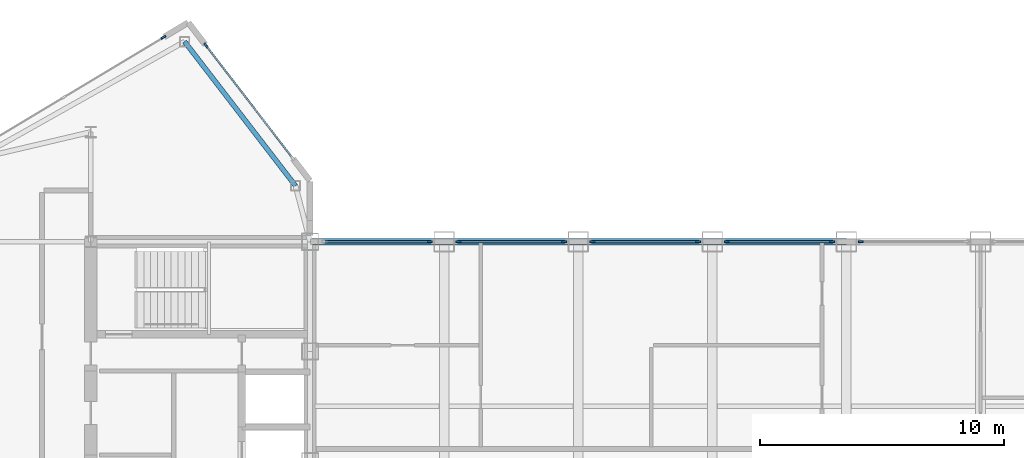
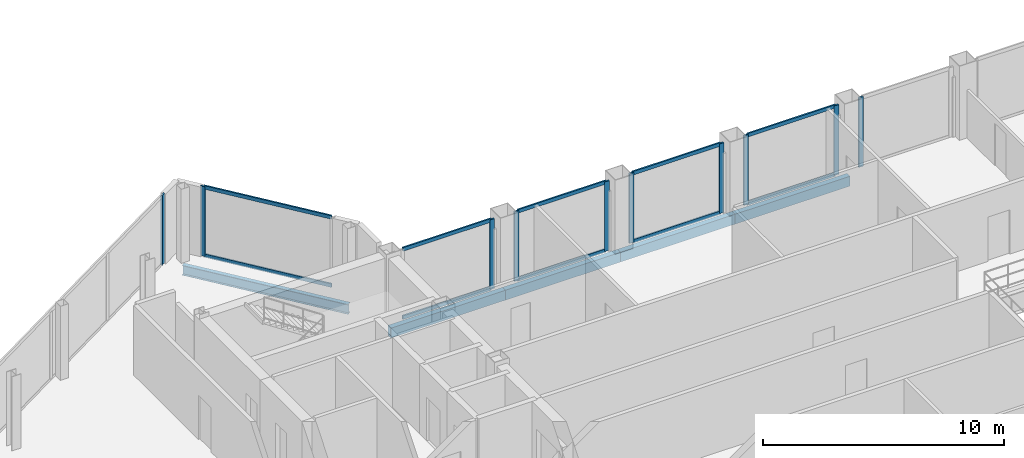
# One storey, part 12 of 29: 20 members, 5 beams, 7 elements without a shape of their own.
"""IFC4 building model written with IfcOpenShell, lengths in metres."""

from ifc_helpers import new_model, si_unit, direction, frame, origin, origin_2d, place, context, subcontext, project, spatial, rectangle, hollow_rectangle, i_section, extrude, source, transform, mapped, material, layer, layer_set, material_profile, profile_set, type_object, type_shapes, element, aggregate, save


model = new_model("IFC4")

# Units and contexts
model_context = context("Model", 3, precision=1e-05, world=origin(), true_north=direction((0.0, 1.0)))
body_context = subcontext(model_context, "Body", "Model", "MODEL_VIEW")
ifc_project = project(units=[si_unit("LENGTHUNIT", "METRE"), si_unit("AREAUNIT", "SQUARE_METRE"), si_unit("VOLUMEUNIT", "CUBIC_METRE"), si_unit("PLANEANGLEUNIT", "RADIAN"), si_unit("MASSUNIT", "GRAM", prefix="KILO")], contexts=[model_context])

# Site, building, storey
site_placement = place(None, origin())
site = spatial("IfcSite", under=ifc_project, at=site_placement, CompositionType="ELEMENT")
building_placement = place(site_placement, origin())
building = spatial("IfcBuilding", under=site, at=building_placement, Name="Seokmaru Belvedere", CompositionType="ELEMENT")
storey_placement = place(building_placement, frame((0.0, 0.0, 243.14990234375)))
storey = spatial("IfcBuildingStorey", under=building, at=storey_placement, Name="L64", CompositionType="ELEMENT", Elevation=243.14990234375)

# Beams
ifc_material_1 = material(Name="Steel SM355 (355 MPa)", Category="steel")
ifc_material_profile_1 = material_profile(ifc_material_1, i_section(OverallWidth=0.199951171875, OverallDepth=0.5, WebThickness=0.010009765625, FlangeThickness=0.01611328125, at=origin_2d()), Name="H-500x200x10x16")
ifc_profile_set_1 = profile_set([ifc_material_profile_1], Name="Steel SM355 (355 MPa)")
beam_type_1 = type_object("IfcBeamType", Name="Perimeter Spandrel Beam H-500", PredefinedType="SPANDREL", material=ifc_profile_set_1)
shared_shape_1 = source(origin(), body_context, "Body", "SweptSolid", [
    extrude(i_section(OverallWidth=0.199951171875, OverallDepth=0.5, WebThickness=0.010009765625, FlangeThickness=0.01611328125, at=origin_2d()), origin(), (0.0, 0.0, 1.0), 7.4619140625),
])
type_shapes(beam_type_1, [shared_shape_1])
beam_placement = place(storey_placement, frame((-32.649658203125, 21.71044921875, -0.469970703125), z_axis=(0.609702854945, -0.792630070507, 0.0), x_axis=(0.792630070507, 0.609702854945, 0.0)))
element("IfcBeam", 1, at=beam_placement, inside=storey, type_object=beam_type_1, Name="L64 W Shoulder Chamfer Spandrel N", PredefinedType="SPANDREL", context=body_context, shape_type="MappedRepresentation", body=[
    mapped(shared_shape_1, transform((0.0, 0.0, 0.0), scale=1.0)),
])
ifc_material_profile_2 = material_profile(ifc_material_1, hollow_rectangle(XDim=0.25, YDim=0.5, WallThickness=0.013916015625, at=origin_2d()), Name="RHS-500x250x14")
ifc_profile_set_2 = profile_set([ifc_material_profile_2], Name="Steel SM355 (355 MPa)")
beam_type_2 = type_object("IfcBeamType", Name="Bridge Edge Spandrel RHS-500", PredefinedType="SPANDREL", material=ifc_profile_set_2)
shared_shape_2 = source(origin(), body_context, "Body", "SweptSolid", [
    extrude(hollow_rectangle(XDim=0.25, YDim=0.5, WallThickness=0.013916015625, at=origin_2d()), origin(), (0.0, 0.0, 1.0), 5.5),
])
type_shapes(beam_type_2, [shared_shape_2])
for number, where, z_axis, x_axis, name in (
    (2, (-27.5, 13.5, -0.469970703125), (1.0, 0.0, 0.0), (0.0, 1.0, 0.0), "L64 Sky-Gate Bridge Edge Girder N-01"),
    (3, (-22.0, 13.5, -0.469970703125), (1.0, 0.0, 0.0), (0.0, 1.0, 0.0), "L64 Sky-Gate Bridge Edge Girder N-02"),
    (4, (-16.5, 13.5, -0.469970703125), (1.0, 0.0, 0.0), (0.0, 1.0, 0.0), "L64 Sky-Gate Bridge Edge Girder N-03"),
    (5, (-11.0, 13.5, -0.469970703125), (1.0, 0.0, 0.0), (0.0, 1.0, 0.0), "L64 Sky-Gate Bridge Edge Girder N-04"),
):
    element("IfcBeam", number, at=place(storey_placement, frame(where, z_axis=z_axis, x_axis=x_axis)), inside=storey, type_object=beam_type_2, Name=name, PredefinedType="SPANDREL", context=body_context, shape_type="MappedRepresentation", body=[
        mapped(shared_shape_2, transform((0.0, 0.0, 0.0), scale=1.0)),
    ])

# Curtain wall, members
ifc_material_2 = material(Name="Bronze Triple Insulating Glass", Category="glass")
ifc_layer = layer(ifc_material_2, 0.219970703125)
ifc_layer_set = layer_set([ifc_layer], Name="Bronze Triple Insulating Glass")
curtain_wall_type = type_object("IfcCurtainWallType", Name="Sky-Gate Bridge Panorama Curtain Wall System CW-6", PredefinedType="NOTDEFINED", material=ifc_layer_set)
curtain_wall_1_placement = place(storey_placement, origin())
curtain_wall_1 = element("IfcCurtainWall", 6, at=curtain_wall_1_placement, inside=storey, type_object=curtain_wall_type, Name="L64 Curtain Wall WF2", PredefinedType="NOTDEFINED")
ifc_material_3 = material(Name="Anodised Bronze Aluminium", Category="aluminium")
ifc_material_profile_3 = material_profile(ifc_material_3, rectangle(XDim=0.074951171875, YDim=0.179931640625, at=origin_2d()), Name="CW-T-75x180")
ifc_profile_set_3 = profile_set([ifc_material_profile_3], Name="Anodised Bronze Aluminium")
member_type_1 = type_object("IfcMemberType", Name="Bronze Unitised Transom 75x180", PredefinedType="USERDEFINED", material=ifc_profile_set_3)
shared_shape_3 = source(origin(), body_context, "Body", "SweptSolid", [
    extrude(rectangle(XDim=0.074951171875, YDim=0.179931640625, at=origin_2d()), origin(), (0.0, 0.0, 1.0), 5.74072265625),
])
member_1_placement = place(storey_placement, frame((-28.25, 16.974853515625, 0.03759765625), z_axis=(-0.609686097287, 0.792642960465, 0.0), x_axis=(-0.792642960465, -0.609686097287, 0.0)))
member_1 = element("IfcMember", 7, at=member_1_placement, type_object=member_type_1, Name="CW:L64:WF2 Continuous Transom 1", ObjectType="TRANSOM", PredefinedType="USERDEFINED", context=body_context, shape_type="MappedRepresentation", body=[
    mapped(shared_shape_3, transform((0.0, 0.0, 0.0), scale=1.0)),
])
member_2_placement = place(storey_placement, frame((-28.25, 16.974853515625, 3.49267578125), z_axis=(-0.609686097287, 0.792642960465, 0.0), x_axis=(-0.792642960465, -0.609686097287, 0.0)))
member_2 = element("IfcMember", 8, at=member_2_placement, type_object=member_type_1, Name="CW:L64:WF2 Continuous Transom 2", ObjectType="TRANSOM", PredefinedType="USERDEFINED", context=body_context, shape_type="MappedRepresentation", body=[
    mapped(shared_shape_3, transform((0.0, 0.0, 0.0), scale=1.0)),
])

curtain_wall_2_placement = place(storey_placement, origin())
curtain_wall_2 = element("IfcCurtainWall", 9, at=curtain_wall_2_placement, inside=storey, type_object=curtain_wall_type, Name="L64 Curtain Wall BR_N01", PredefinedType="NOTDEFINED")
shared_shape_4 = source(origin(), body_context, "Body", "SweptSolid", [
    extrude(rectangle(XDim=0.074951171875, YDim=0.179931640625, at=origin_2d()), origin(), (0.0, 0.0, 1.0), 4.240234375),
])
type_shapes(member_type_1, [shared_shape_3, shared_shape_4])
member_3_placement = place(storey_placement, frame((-22.6298828125, 13.5, 0.03759765625), z_axis=(-1.0, 0.0, 0.0), x_axis=(0.0, -1.0, 0.0)))
member_3 = element("IfcMember", 10, at=member_3_placement, type_object=member_type_1, Name="CW:L64:BR_N01 Continuous Transom 1", ObjectType="TRANSOM", PredefinedType="USERDEFINED", context=body_context, shape_type="MappedRepresentation", body=[
    mapped(shared_shape_4, transform((0.0, 0.0, 0.0), scale=1.0)),
])
member_4_placement = place(storey_placement, frame((-22.6298828125, 13.5, 3.49267578125), z_axis=(-1.0, 0.0, 0.0), x_axis=(0.0, -1.0, 0.0)))
member_4 = element("IfcMember", 11, at=member_4_placement, type_object=member_type_1, Name="CW:L64:BR_N01 Continuous Transom 2", ObjectType="TRANSOM", PredefinedType="USERDEFINED", context=body_context, shape_type="MappedRepresentation", body=[
    mapped(shared_shape_4, transform((0.0, 0.0, 0.0), scale=1.0)),
])

curtain_wall_3_placement = place(storey_placement, origin())
curtain_wall_3 = element("IfcCurtainWall", 12, at=curtain_wall_3_placement, inside=storey, type_object=curtain_wall_type, Name="L64 Curtain Wall BR_N02", PredefinedType="NOTDEFINED")
member_5_placement = place(storey_placement, frame((-17.1298828125, 13.5, 0.03759765625), z_axis=(-1.0, 0.0, 0.0), x_axis=(0.0, -1.0, 0.0)))
member_5 = element("IfcMember", 13, at=member_5_placement, type_object=member_type_1, Name="CW:L64:BR_N02 Continuous Transom 1", ObjectType="TRANSOM", PredefinedType="USERDEFINED", context=body_context, shape_type="MappedRepresentation", body=[
    mapped(shared_shape_4, transform((0.0, 0.0, 0.0), scale=1.0)),
])
member_6_placement = place(storey_placement, frame((-17.1298828125, 13.5, 3.49267578125), z_axis=(-1.0, 0.0, 0.0), x_axis=(0.0, -1.0, 0.0)))
member_6 = element("IfcMember", 14, at=member_6_placement, type_object=member_type_1, Name="CW:L64:BR_N02 Continuous Transom 2", ObjectType="TRANSOM", PredefinedType="USERDEFINED", context=body_context, shape_type="MappedRepresentation", body=[
    mapped(shared_shape_4, transform((0.0, 0.0, 0.0), scale=1.0)),
])

curtain_wall_4_placement = place(storey_placement, origin())
curtain_wall_4 = element("IfcCurtainWall", 15, at=curtain_wall_4_placement, inside=storey, type_object=curtain_wall_type, Name="L64 Curtain Wall BR_N03", PredefinedType="NOTDEFINED")
member_7_placement = place(storey_placement, frame((-11.6298828125, 13.5, 0.03759765625), z_axis=(-1.0, 0.0, 0.0), x_axis=(0.0, -1.0, 0.0)))
member_7 = element("IfcMember", 16, at=member_7_placement, type_object=member_type_1, Name="CW:L64:BR_N03 Continuous Transom 1", ObjectType="TRANSOM", PredefinedType="USERDEFINED", context=body_context, shape_type="MappedRepresentation", body=[
    mapped(shared_shape_4, transform((0.0, 0.0, 0.0), scale=1.0)),
])
member_8_placement = place(storey_placement, frame((-11.6298828125, 13.5, 3.49267578125), z_axis=(-1.0, 0.0, 0.0), x_axis=(0.0, -1.0, 0.0)))
member_8 = element("IfcMember", 17, at=member_8_placement, type_object=member_type_1, Name="CW:L64:BR_N03 Continuous Transom 2", ObjectType="TRANSOM", PredefinedType="USERDEFINED", context=body_context, shape_type="MappedRepresentation", body=[
    mapped(shared_shape_4, transform((0.0, 0.0, 0.0), scale=1.0)),
])

curtain_wall_5_placement = place(storey_placement, origin())
curtain_wall_5 = element("IfcCurtainWall", 18, at=curtain_wall_5_placement, inside=storey, type_object=curtain_wall_type, Name="L64 Curtain Wall BR_N04", PredefinedType="NOTDEFINED")
member_9_placement = place(storey_placement, frame((-6.1298828125, 13.5, 0.03759765625), z_axis=(-1.0, 0.0, 0.0), x_axis=(0.0, -1.0, 0.0)))
member_9 = element("IfcMember", 19, at=member_9_placement, type_object=member_type_1, Name="CW:L64:BR_N04 Continuous Transom 1", ObjectType="TRANSOM", PredefinedType="USERDEFINED", context=body_context, shape_type="MappedRepresentation", body=[
    mapped(shared_shape_4, transform((0.0, 0.0, 0.0), scale=1.0)),
])
member_10_placement = place(storey_placement, frame((-6.1298828125, 13.5, 3.49267578125), z_axis=(-1.0, 0.0, 0.0), x_axis=(0.0, -1.0, 0.0)))
member_10 = element("IfcMember", 20, at=member_10_placement, type_object=member_type_1, Name="CW:L64:BR_N04 Continuous Transom 2", ObjectType="TRANSOM", PredefinedType="USERDEFINED", context=body_context, shape_type="MappedRepresentation", body=[
    mapped(shared_shape_4, transform((0.0, 0.0, 0.0), scale=1.0)),
])

# Member
ifc_material_profile_4 = material_profile(ifc_material_3, rectangle(XDim=0.080078125, YDim=0.219970703125, at=origin_2d()), Name="CW-M-80x220")
ifc_profile_set_4 = profile_set([ifc_material_profile_4], Name="Anodised Bronze Aluminium")
member_type_2 = type_object("IfcMemberType", Name="Bronze Unitised Mullion 80x220", PredefinedType="MULLION", material=ifc_profile_set_4)
shared_shape_5 = source(origin(), body_context, "Body", "SweptSolid", [
    extrude(rectangle(XDim=0.080078125, YDim=0.219970703125, at=origin_2d()), origin(), (0.0, 0.0, 1.0), 3.530029296875),
])
type_shapes(member_type_2, [shared_shape_5])
member_11_placement = place(storey_placement, frame((-31.7744140625, 21.556884765625, 0.0), z_axis=(0.0, 0.0, 1.0), x_axis=(-0.792631353244, -0.609701187349, 0.0)))
member_11 = element("IfcMember", 21, at=member_11_placement, type_object=member_type_2, Name="CW:L64:WF2 Mullion 2", PredefinedType="MULLION", context=body_context, shape_type="MappedRepresentation", body=[
    mapped(shared_shape_5, transform((0.0, 0.0, 0.0), scale=1.0)),
])

aggregate(curtain_wall_1, [member_11, member_1, member_2])

# Curtain wall, member
curtain_wall_6_placement = place(storey_placement, origin())
curtain_wall_6 = element("IfcCurtainWall", 22, at=curtain_wall_6_placement, inside=storey, type_object=curtain_wall_type, Name="L64 Curtain Wall WF3", PredefinedType="NOTDEFINED")
member_12_placement = place(storey_placement, frame((-33.5205078125, 21.8876953125, 0.0), z_axis=(0.0, 0.0, 1.0), x_axis=(0.514494909364, -0.85749343335, 0.0)))
member_12 = element("IfcMember", 23, at=member_12_placement, type_object=member_type_2, Name="CW:L64:WF3 Mullion 1", PredefinedType="MULLION", context=body_context, shape_type="MappedRepresentation", body=[
    mapped(shared_shape_5, transform((0.0, 0.0, 0.0), scale=1.0)),
])
aggregate(curtain_wall_6, [member_12])

# Member
member_13_placement = place(storey_placement, frame((-22.590087890625, 13.5, 0.0), z_axis=(0.0, 0.0, 1.0), x_axis=(0.0, -1.0, 0.0)))
member_13 = element("IfcMember", 24, at=member_13_placement, type_object=member_type_2, Name="CW:L64:BR_N01 Mullion 1", PredefinedType="MULLION", context=body_context, shape_type="MappedRepresentation", body=[
    mapped(shared_shape_5, transform((0.0, 0.0, 0.0), scale=1.0)),
])

aggregate(curtain_wall_2, [member_13, member_3, member_4])

member_14_placement = place(storey_placement, frame((-17.090087890625, 13.5, 0.0), z_axis=(0.0, 0.0, 1.0), x_axis=(0.0, -1.0, 0.0)))
member_14 = element("IfcMember", 25, at=member_14_placement, type_object=member_type_2, Name="CW:L64:BR_N02 Mullion 1", PredefinedType="MULLION", context=body_context, shape_type="MappedRepresentation", body=[
    mapped(shared_shape_5, transform((0.0, 0.0, 0.0), scale=1.0)),
])

member_15_placement = place(storey_placement, frame((-21.409912109375, 13.5, 0.0), z_axis=(0.0, 0.0, 1.0), x_axis=(0.0, -1.0, 0.0)))
member_15 = element("IfcMember", 26, at=member_15_placement, type_object=member_type_2, Name="CW:L64:BR_N02 Mullion 2", PredefinedType="MULLION", context=body_context, shape_type="MappedRepresentation", body=[
    mapped(shared_shape_5, transform((0.0, 0.0, 0.0), scale=1.0)),
])

aggregate(curtain_wall_3, [member_14, member_15, member_5, member_6])

member_16_placement = place(storey_placement, frame((-11.590087890625, 13.5, 0.0), z_axis=(0.0, 0.0, 1.0), x_axis=(0.0, -1.0, 0.0)))
member_16 = element("IfcMember", 27, at=member_16_placement, type_object=member_type_2, Name="CW:L64:BR_N03 Mullion 1", PredefinedType="MULLION", context=body_context, shape_type="MappedRepresentation", body=[
    mapped(shared_shape_5, transform((0.0, 0.0, 0.0), scale=1.0)),
])

member_17_placement = place(storey_placement, frame((-15.909912109375, 13.5, 0.0), z_axis=(0.0, 0.0, 1.0), x_axis=(0.0, -1.0, 0.0)))
member_17 = element("IfcMember", 28, at=member_17_placement, type_object=member_type_2, Name="CW:L64:BR_N03 Mullion 2", PredefinedType="MULLION", context=body_context, shape_type="MappedRepresentation", body=[
    mapped(shared_shape_5, transform((0.0, 0.0, 0.0), scale=1.0)),
])

aggregate(curtain_wall_4, [member_16, member_17, member_7, member_8])

member_18_placement = place(storey_placement, frame((-6.090087890625, 13.5, 0.0), z_axis=(0.0, 0.0, 1.0), x_axis=(0.0, -1.0, 0.0)))
member_18 = element("IfcMember", 29, at=member_18_placement, type_object=member_type_2, Name="CW:L64:BR_N04 Mullion 1", PredefinedType="MULLION", context=body_context, shape_type="MappedRepresentation", body=[
    mapped(shared_shape_5, transform((0.0, 0.0, 0.0), scale=1.0)),
])

member_19_placement = place(storey_placement, frame((-10.409912109375, 13.5, 0.0), z_axis=(0.0, 0.0, 1.0), x_axis=(0.0, -1.0, 0.0)))
member_19 = element("IfcMember", 30, at=member_19_placement, type_object=member_type_2, Name="CW:L64:BR_N04 Mullion 2", PredefinedType="MULLION", context=body_context, shape_type="MappedRepresentation", body=[
    mapped(shared_shape_5, transform((0.0, 0.0, 0.0), scale=1.0)),
])

aggregate(curtain_wall_5, [member_18, member_19, member_9, member_10])

# Curtain wall, member
curtain_wall_7_placement = place(storey_placement, origin())
curtain_wall_7 = element("IfcCurtainWall", 31, at=curtain_wall_7_placement, inside=storey, type_object=curtain_wall_type, Name="L64 Curtain Wall BR_N05", PredefinedType="NOTDEFINED")
member_20_placement = place(storey_placement, frame((-4.909912109375, 13.5, 0.0), z_axis=(0.0, 0.0, 1.0), x_axis=(0.0, -1.0, 0.0)))
member_20 = element("IfcMember", 32, at=member_20_placement, type_object=member_type_2, Name="CW:L64:BR_N05 Mullion 2", PredefinedType="MULLION", context=body_context, shape_type="MappedRepresentation", body=[
    mapped(shared_shape_5, transform((0.0, 0.0, 0.0), scale=1.0)),
])
aggregate(curtain_wall_7, [member_20])

save(model, "model.ifc")
